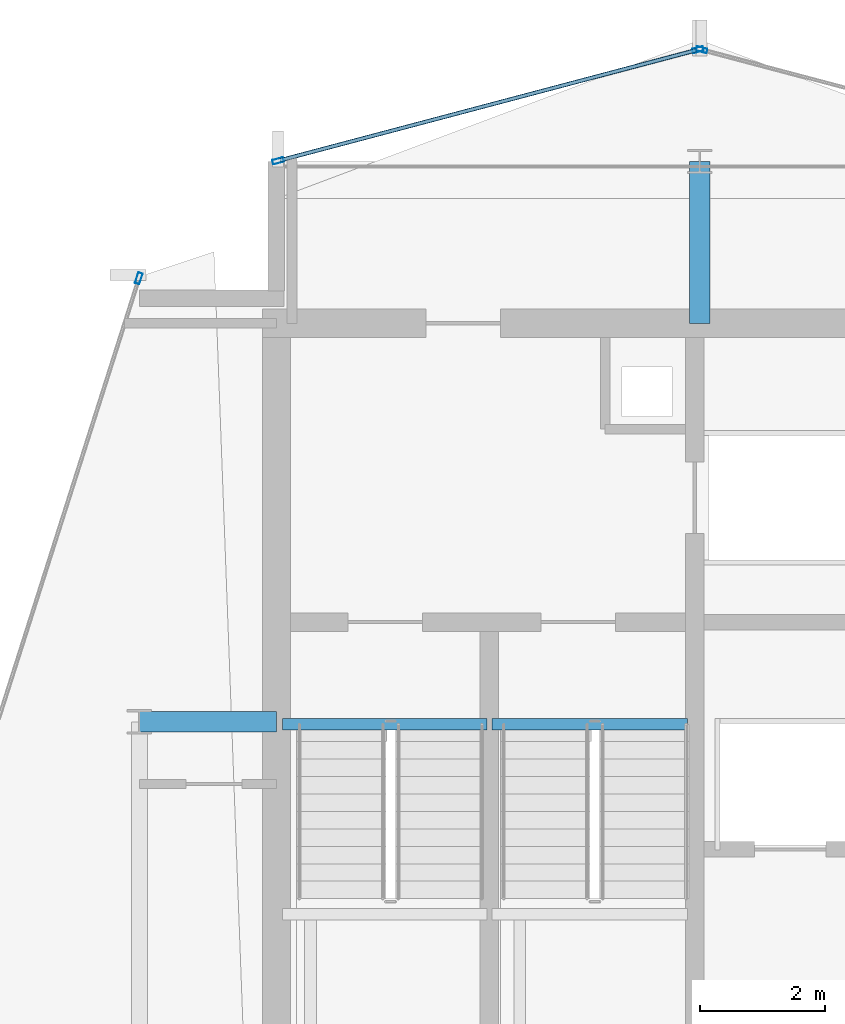
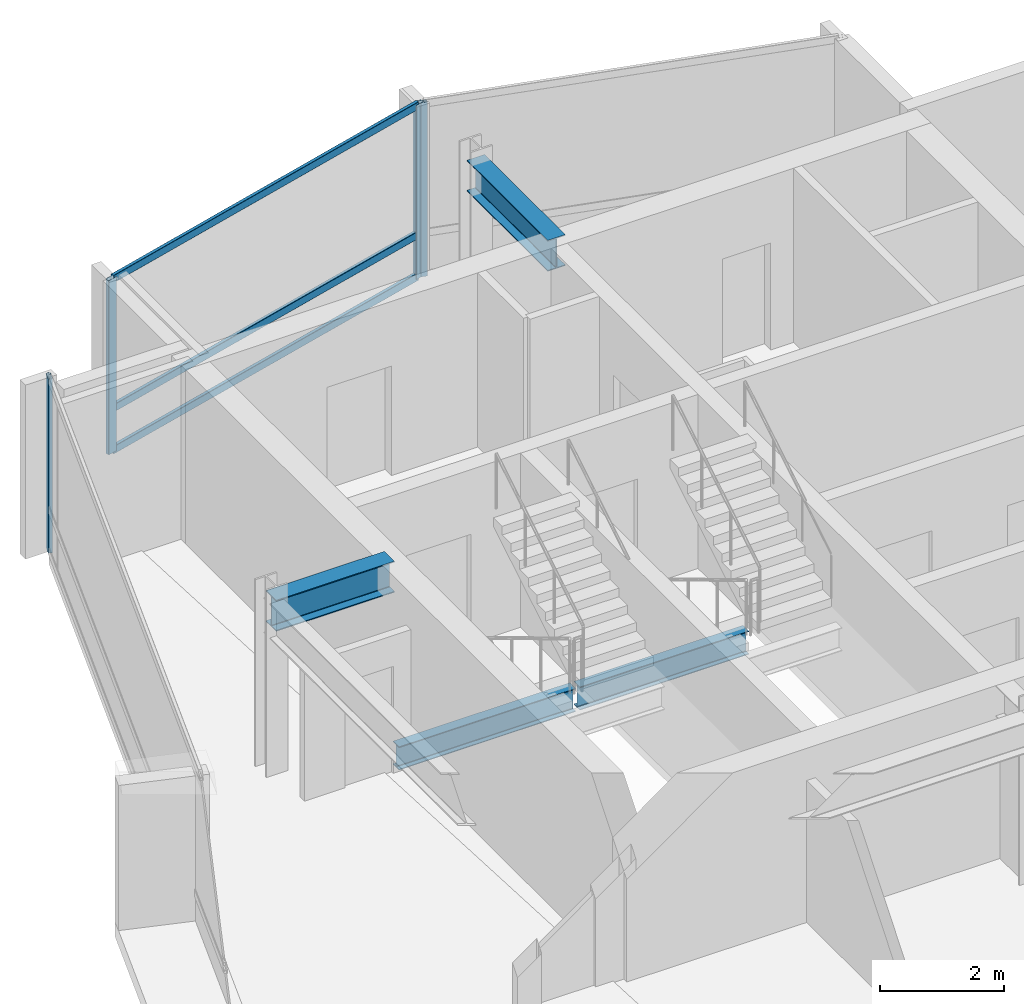
# One storey, part 11 of 19: 7 members, 4 beams, 3 elements without a shape of their own.
"""IFC4 building model written with IfcOpenShell, lengths in metres."""

from ifc_helpers import new_model, si_unit, direction, frame, origin, origin_2d, place, context, subcontext, project, spatial, hollow_rectangle, i_section, extrude, material, layer, layer_set, material_profile, profile_set, type_object, element, aggregate, save


model = new_model("IFC4")

# Units and contexts
model_context = context("Model", 3, precision=1e-05, world=origin(), true_north=direction((0.0, 1.0)))
body_context = subcontext(model_context, "Body", "Model", "MODEL_VIEW")
ifc_project = project(units=[si_unit("LENGTHUNIT", "METRE"), si_unit("AREAUNIT", "SQUARE_METRE"), si_unit("VOLUMEUNIT", "CUBIC_METRE"), si_unit("PLANEANGLEUNIT", "RADIAN"), si_unit("MASSUNIT", "GRAM", prefix="KILO")], contexts=[model_context])

# Site, building, storey
site_placement = place(None, origin())
site = spatial("IfcSite", under=ifc_project, at=site_placement, CompositionType="ELEMENT")
building_placement = place(site_placement, origin())
building = spatial("IfcBuilding", under=site, at=building_placement, Name="Solvaryn Broadcast Tower", CompositionType="ELEMENT")
storey_placement = place(building_placement, frame((0.0, 0.0, 251.89990234375)))
storey = spatial("IfcBuildingStorey", under=building, at=storey_placement, Name="L63", CompositionType="ELEMENT", Elevation=251.89990234375)

# Beams
ifc_material_1 = material(Name="Steel ASTM A992 Grade 50", Category="steel")
ifc_material_profile_1 = material_profile(ifc_material_1, i_section(OverallWidth=0.323974609375, OverallDepth=0.611083984375, WebThickness=0.0126953125, FlangeThickness=0.01904296875, FilletRadius=0.014892578125, at=origin_2d()))
ifc_profile_set_1 = profile_set([ifc_material_profile_1], Name="Steel ASTM A992 Grade 50")
beam_type_1 = type_object("IfcBeamType", Name="BM-B1-W24X104", PredefinedType="BEAM", material=ifc_profile_set_1)
beam_1_placement = place(storey_placement, frame((9.0, 36.0, 3.114501953125), z_axis=(1.0, 0.0, 0.0), x_axis=(0.0, 1.0, 0.0)))
element("IfcBeam", 1, at=beam_1_placement, inside=storey, type_object=beam_type_1, Name="L63 Core Tie Beam CTW1", PredefinedType="BEAM", context=body_context, shape_type="SweptSolid", body=[
    extrude(i_section(OverallWidth=0.323974609375, OverallDepth=0.611083984375, WebThickness=0.0126953125, FlangeThickness=0.01904296875, FilletRadius=0.014892578125, at=origin_2d()), origin(), (0.0, 0.0, 1.0), 2.199951171875),
])
beam_2_placement = place(storey_placement, frame((18.0, 42.39990234375, 3.114501953125), z_axis=(0.0, 1.0, 0.0), x_axis=(-1.0, 0.0, 0.0)))
element("IfcBeam", 2, at=beam_2_placement, inside=storey, type_object=beam_type_1, Name="L63 Core Tie Beam CTW3", PredefinedType="BEAM", context=body_context, shape_type="SweptSolid", body=[
    extrude(i_section(OverallWidth=0.323974609375, OverallDepth=0.611083984375, WebThickness=0.0126953125, FlangeThickness=0.01904296875, FilletRadius=0.014892578125, at=origin_2d()), origin(), (0.0, 0.0, 1.0), 2.60009765625),
])
ifc_material_2 = material(Name="Steel ASTM A992 Grade 50", Category="steel")
ifc_material_profile_2 = material_profile(ifc_material_2, i_section(OverallWidth=0.18994140625, OverallDepth=0.45703125, WebThickness=0.009033203125, FlangeThickness=0.014404296875, FilletRadius=0.011962890625, at=origin_2d()))
ifc_profile_set_2 = profile_set([ifc_material_profile_2], Name="Steel ASTM A992 Grade 50")
beam_type_2 = type_object("IfcBeamType", Name="BM-B4-W18X50", PredefinedType="BEAM", material=ifc_profile_set_2)
beam_3_placement = place(storey_placement, frame((11.300048828125, 35.9599609375, -0.50830078125), z_axis=(1.0, 0.0, 0.0), x_axis=(0.0, 1.0, 0.0)))
element("IfcBeam", 3, at=beam_3_placement, inside=storey, type_object=beam_type_2, Name="L63 ST1 Stair Well Trimmer Beam", PredefinedType="BEAM", context=body_context, shape_type="SweptSolid", body=[
    extrude(i_section(OverallWidth=0.18994140625, OverallDepth=0.45703125, WebThickness=0.009033203125, FlangeThickness=0.014404296875, FilletRadius=0.011962890625, at=origin_2d()), origin(), (0.0, 0.0, 1.0), 3.280029296875),
])
beam_4_placement = place(storey_placement, frame((14.659912109375, 35.9599609375, -0.50830078125), z_axis=(1.0, 0.0, 0.0), x_axis=(0.0, 1.0, 0.0)))
element("IfcBeam", 4, at=beam_4_placement, inside=storey, type_object=beam_type_2, Name="L63 ST2 Stair Well Trimmer Beam", PredefinedType="BEAM", context=body_context, shape_type="SweptSolid", body=[
    extrude(i_section(OverallWidth=0.18994140625, OverallDepth=0.45703125, WebThickness=0.009033203125, FlangeThickness=0.014404296875, FilletRadius=0.011962890625, at=origin_2d()), origin(), (0.0, 0.0, 1.0), 3.14013671875),
])

# Curtain wall, member
ifc_material_3 = material(Name="Aluminium and Terracotta Unitised Curtain Wall", Category="masonry")
ifc_layer = layer(ifc_material_3, 0.199951171875)
ifc_layer_set = layer_set([ifc_layer], Name="CW-SYS2-LOWMID")
curtain_wall_type = type_object("IfcCurtainWallType", Name="CW-SYS2-LOWMID", PredefinedType="NOTDEFINED", material=ifc_layer_set)
curtain_wall_1_placement = place(storey_placement, origin())
curtain_wall_1 = element("IfcCurtainWall", 5, at=curtain_wall_1_placement, inside=storey, type_object=curtain_wall_type, Name="L63 Curtain Wall DR1", PredefinedType="NOTDEFINED")
ifc_material_4 = material(Name="Anodised Aluminium 6063-T6", Category="aluminium")
ifc_material_profile_3 = material_profile(ifc_material_4, hollow_rectangle(XDim=0.074951171875, YDim=0.179931640625, WallThickness=0.00390625, InnerFilletRadius=0.00390625, OuterFilletRadius=0.008056640625, at=origin_2d()))
ifc_profile_set_3 = profile_set([ifc_material_profile_3], Name="Anodised Aluminium 6063-T6")
member_type_1 = type_object("IfcMemberType", Name="CW-MUL-180", PredefinedType="MULLION", material=ifc_profile_set_3)
member_1_placement = place(storey_placement, frame((8.990966796875, 43.120361328125, 0.0), z_axis=(0.0, 0.0, 1.0), x_axis=(0.952794594701, -0.30361564569, 0.0)))
member_1 = element("IfcMember", 6, at=member_1_placement, type_object=member_type_1, Name="CWS2 mullion 1", PredefinedType="MULLION", context=body_context, shape_type="SweptSolid", body=[
    extrude(hollow_rectangle(XDim=0.074951171875, YDim=0.179931640625, WallThickness=0.00390625, InnerFilletRadius=0.00390625, OuterFilletRadius=0.008056640625, at=origin_2d()), origin(), (0.0, 0.0, 1.0), 3.420166015625),
])
aggregate(curtain_wall_1, [member_1])

curtain_wall_2_placement = place(storey_placement, origin())
curtain_wall_2 = element("IfcCurtainWall", 7, at=curtain_wall_2_placement, inside=storey, type_object=curtain_wall_type, Name="L63 Curtain Wall NT1", PredefinedType="NOTDEFINED")
member_2_placement = place(storey_placement, frame((18.029052734375, 46.792236328125, 0.0), z_axis=(0.0, 0.0, 1.0), x_axis=(-0.25589256031, -0.966705227863, 0.0)))
member_2 = element("IfcMember", 8, at=member_2_placement, type_object=member_type_1, Name="CWS2 mullion 2", PredefinedType="MULLION", context=body_context, shape_type="SweptSolid", body=[
    extrude(hollow_rectangle(XDim=0.074951171875, YDim=0.179931640625, WallThickness=0.00390625, InnerFilletRadius=0.00390625, OuterFilletRadius=0.008056640625, at=origin_2d()), origin(), (0.0, 0.0, 1.0), 3.420166015625),
])
aggregate(curtain_wall_2, [member_2])

# Curtain wall, members
curtain_wall_3_placement = place(storey_placement, origin())
curtain_wall_3 = element("IfcCurtainWall", 9, at=curtain_wall_3_placement, inside=storey, type_object=curtain_wall_type, Name="L63 Curtain Wall NT2", PredefinedType="NOTDEFINED")
member_3_placement = place(storey_placement, frame((17.970947265625, 46.792236328125, 0.0), z_axis=(0.0, 0.0, 1.0), x_axis=(0.25589256031, -0.966705227863, 0.0)))
member_3 = element("IfcMember", 10, at=member_3_placement, type_object=member_type_1, Name="CWS2 mullion 1", PredefinedType="MULLION", context=body_context, shape_type="SweptSolid", body=[
    extrude(hollow_rectangle(XDim=0.074951171875, YDim=0.179931640625, WallThickness=0.00390625, InnerFilletRadius=0.00390625, OuterFilletRadius=0.008056640625, at=origin_2d()), origin(), (0.0, 0.0, 1.0), 3.420166015625),
])
member_4_placement = place(storey_placement, frame((11.22900390625, 45.007568359375, 0.0), z_axis=(0.0, 0.0, 1.0), x_axis=(0.25589256031, -0.966705227863, 0.0)))
member_4 = element("IfcMember", 11, at=member_4_placement, type_object=member_type_1, Name="CWS2 mullion 2", PredefinedType="MULLION", context=body_context, shape_type="SweptSolid", body=[
    extrude(hollow_rectangle(XDim=0.074951171875, YDim=0.179931640625, WallThickness=0.00390625, InnerFilletRadius=0.00390625, OuterFilletRadius=0.008056640625, at=origin_2d()), origin(), (0.0, 0.0, 1.0), 3.420166015625),
])
ifc_material_5 = material(Name="Anodised Aluminium 6063-T6", Category="aluminium")
ifc_material_profile_4 = material_profile(ifc_material_5, hollow_rectangle(XDim=0.06494140625, YDim=0.14990234375, WallThickness=0.00390625, InnerFilletRadius=0.00390625, OuterFilletRadius=0.008056640625, at=origin_2d()))
ifc_profile_set_4 = profile_set([ifc_material_profile_4], Name="Anodised Aluminium 6063-T6")
member_type_2 = type_object("IfcMemberType", Name="CW-TRN-150", PredefinedType="USERDEFINED", material=ifc_profile_set_4)
member_5_placement = place(storey_placement, frame((17.94189453125, 46.78466796875, 0.030029296875), z_axis=(-0.966703943301, -0.255897413051, 0.0), x_axis=(0.255897413051, -0.966703943301, 0.0)))
member_5 = element("IfcMember", 12, at=member_5_placement, type_object=member_type_2, Name="CWS2 transom 1.1", ObjectType="TRANSOM", PredefinedType="USERDEFINED", context=body_context, shape_type="SweptSolid", body=[
    extrude(hollow_rectangle(XDim=0.06494140625, YDim=0.14990234375, WallThickness=0.00390625, InnerFilletRadius=0.00390625, OuterFilletRadius=0.008056640625, at=origin_2d()), origin(), (0.0, 0.0, 1.0), 6.9140625),
])
member_6_placement = place(storey_placement, frame((17.94189453125, 46.78466796875, 0.85009765625), z_axis=(-0.966703943301, -0.255897413051, 0.0), x_axis=(0.255897413051, -0.966703943301, 0.0)))
member_6 = element("IfcMember", 13, at=member_6_placement, type_object=member_type_2, Name="CWS2 transom 1.2", ObjectType="TRANSOM", PredefinedType="USERDEFINED", context=body_context, shape_type="SweptSolid", body=[
    extrude(hollow_rectangle(XDim=0.06494140625, YDim=0.14990234375, WallThickness=0.00390625, InnerFilletRadius=0.00390625, OuterFilletRadius=0.008056640625, at=origin_2d()), origin(), (0.0, 0.0, 1.0), 6.9140625),
])
member_7_placement = place(storey_placement, frame((17.94189453125, 46.78466796875, 3.39013671875), z_axis=(-0.966703943301, -0.255897413051, 0.0), x_axis=(0.255897413051, -0.966703943301, 0.0)))
member_7 = element("IfcMember", 14, at=member_7_placement, type_object=member_type_2, Name="CWS2 transom 1.3", ObjectType="TRANSOM", PredefinedType="USERDEFINED", context=body_context, shape_type="SweptSolid", body=[
    extrude(hollow_rectangle(XDim=0.06494140625, YDim=0.14990234375, WallThickness=0.00390625, InnerFilletRadius=0.00390625, OuterFilletRadius=0.008056640625, at=origin_2d()), origin(), (0.0, 0.0, 1.0), 6.9140625),
])
aggregate(curtain_wall_3, [member_3, member_4, member_5, member_6, member_7])

save(model, "model.ifc")
